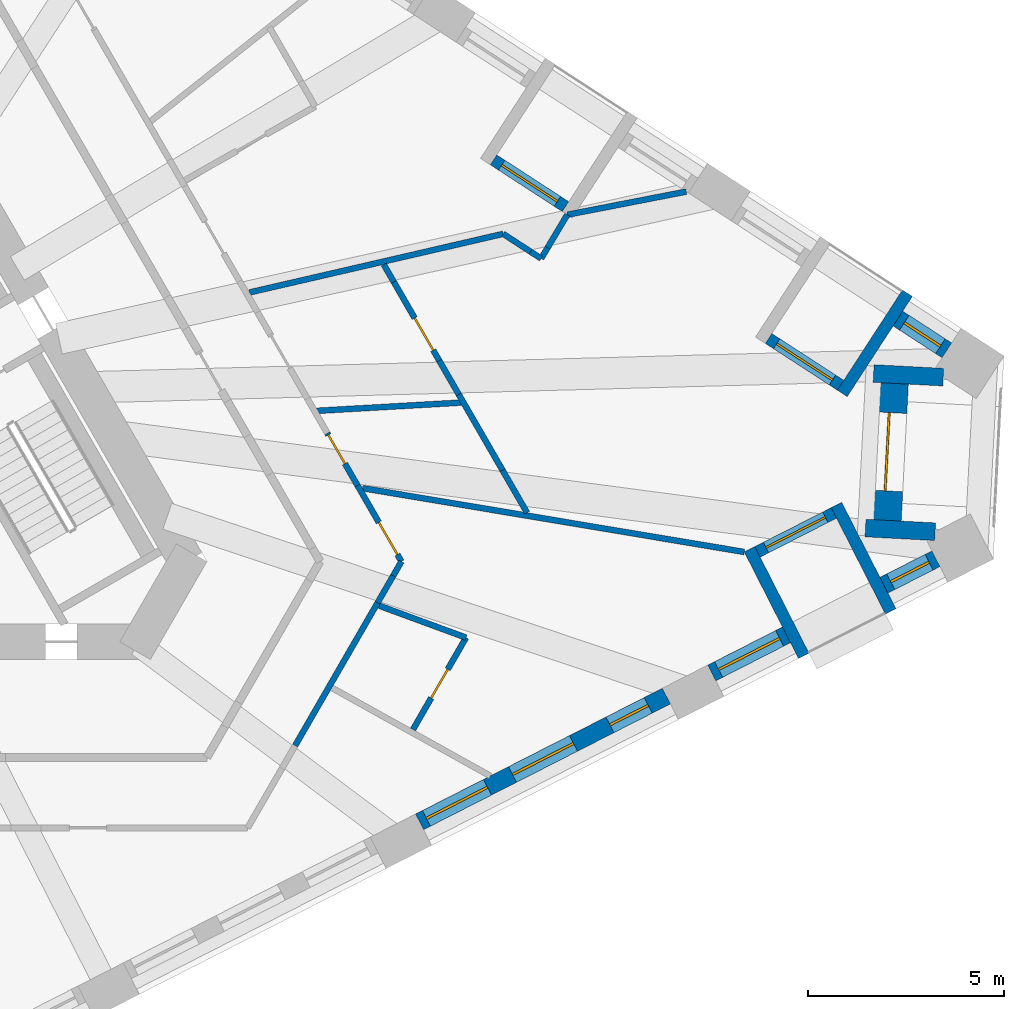
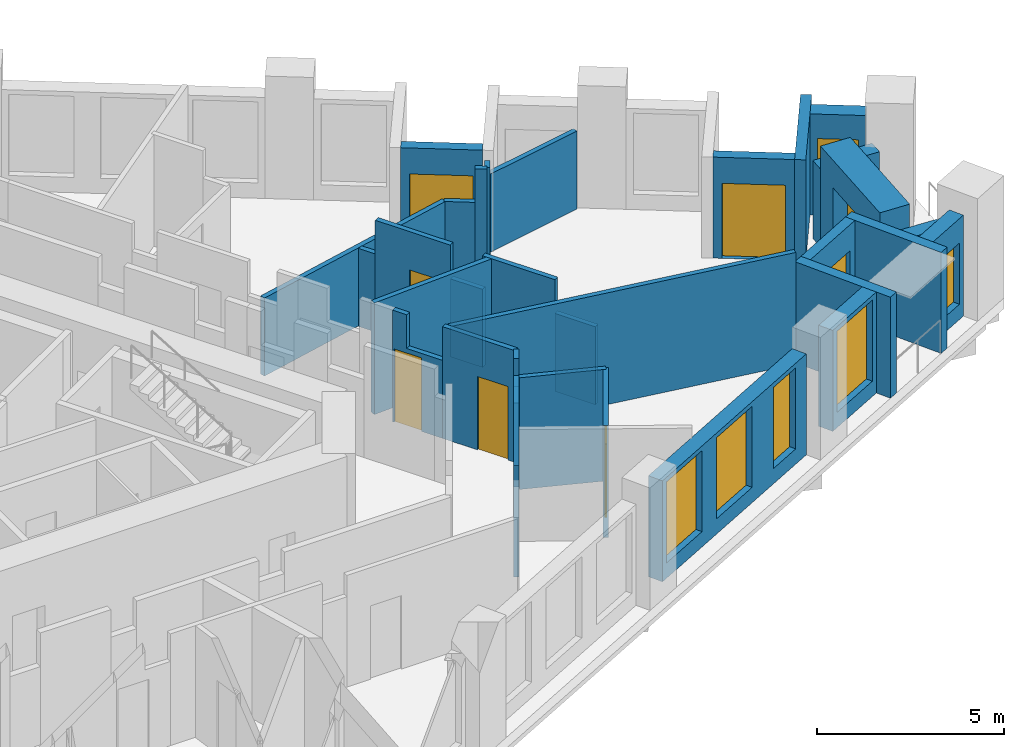
# One storey, part 6 of 13: 33 walls, 8 doors, 6 windows, 14 openings.
"""IFC4 building model written with IfcOpenShell, lengths in metres."""

from ifc_helpers import new_model, si_unit, direction, frame, frame_2d, origin, place, context, subcontext, project, spatial, polyline, rectangle, outline, extrude, material, layer, layer_set, type_object, element, fill, save


model = new_model("IFC4")

# Units and contexts
model_context = context("Model", 3, precision=1e-05, world=origin(), true_north=direction((0.0, 1.0)))
body_context = subcontext(model_context, "Body", "Model", "MODEL_VIEW")
ifc_project = project(units=[si_unit("LENGTHUNIT", "METRE"), si_unit("AREAUNIT", "SQUARE_METRE"), si_unit("VOLUMEUNIT", "CUBIC_METRE"), si_unit("PLANEANGLEUNIT", "RADIAN"), si_unit("MASSUNIT", "GRAM", prefix="KILO")], contexts=[model_context])

# Site, building, storey
site_placement = place(None, origin())
site = spatial("IfcSite", under=ifc_project, at=site_placement, CompositionType="ELEMENT")
building_placement = place(site_placement, origin())
building = spatial("IfcBuilding", under=site, at=building_placement, Name="Tramontana Tower", CompositionType="ELEMENT")
storey_placement = place(building_placement, frame((0.0, 0.0, 141.60009765625)))
storey = spatial("IfcBuildingStorey", under=building, at=storey_placement, Name="L32", CompositionType="ELEMENT", Elevation=141.60009765625)

# Wall, openings, windows
ifc_material_1 = material(Name="Precast concrete 60 MPa", Category="concrete")
ifc_layer_1 = layer(ifc_material_1, 0.449951171875)
ifc_layer_set_1 = layer_set([ifc_layer_1], Name="Precast concrete 60 MPa, 450 mm")
wall_type_1 = type_object("IfcWallType", Name="EW1 Stone-faced precast wall 450", PredefinedType="SOLIDWALL", material=ifc_layer_set_1)
wall_1_placement = place(storey_placement, frame((15.6767578125, -10.8955078125, 0.0), z_axis=(0.0, 0.0, 1.0), x_axis=(0.891004189171, 0.45399508244, 0.0)))
wall_1 = element("IfcWall", 1, at=wall_1_placement, inside=storey, type_object=wall_type_1, Name="External wall L32 face 1 bay 5", PredefinedType="SOLIDWALL", context=body_context, shape_type="SweptSolid", body=[
    extrude(rectangle(XDim=7.071533203125, YDim=0.449951171875, at=frame_2d((3.53564453125, 0.0))), origin(), (0.0, 0.0, 1.0), 3.2998046875),
])
opening_1_placement = place(wall_1_placement, frame((0.1953125, 0.0, 0.5)))
opening_1 = element("IfcOpeningElement", 2, at=opening_1_placement, cuts=wall_1, Name="Opening M2", PredefinedType="OPENING", context=body_context, shape_type="SweptSolid", body=[
    extrude(rectangle(XDim=1.75, YDim=2.64990234375, at=frame_2d((0.875, 1.324951171875))), frame((0.0, 0.23486328125, 0.0), z_axis=(0.0, -1.0, 0.0), x_axis=(1.0, 0.0, 0.0)), (0.0, 0.0, 1.0), 0.469970703125),
])
opening_2_placement = place(wall_1_placement, frame((2.660888671875, 0.0, 0.5)))
opening_2 = element("IfcOpeningElement", 3, at=opening_2_placement, cuts=wall_1, Name="Opening M2", PredefinedType="OPENING", context=body_context, shape_type="SweptSolid", body=[
    extrude(rectangle(XDim=1.75, YDim=2.64990234375, at=frame_2d((0.875, 1.324951171875))), frame((0.0, 0.23486328125, 0.0), z_axis=(0.0, -1.0, 0.0), x_axis=(1.0, 0.0, 0.0)), (0.0, 0.0, 1.0), 0.469970703125),
])
opening_3_placement = place(wall_1_placement, frame((5.451416015625, 0.0, 0.5)))
opening_3 = element("IfcOpeningElement", 4, at=opening_3_placement, cuts=wall_1, Name="Opening N2", PredefinedType="OPENING", context=body_context, shape_type="SweptSolid", body=[
    extrude(rectangle(XDim=1.10009765625, YDim=2.64990234375, at=frame_2d((0.550048828125, 1.324951171875))), frame((0.0, 0.23486328125, 0.0), z_axis=(0.0, -1.0, 0.0), x_axis=(1.0, 0.0, 0.0)), (0.0, 0.0, 1.0), 0.469970703125),
])
ifc_material_2 = material(Name="Aluminum frame, double glazing unit", Category="aluminium")
window_type_1 = type_object("IfcWindowType", Name="M2 Window 1.75 x 2.65", PartitioningType="SINGLE_PANEL", PredefinedType="WINDOW", material=ifc_material_2)
window_1_placement = place(opening_1_placement, origin())
window_1 = element("IfcWindow", 5, at=window_1_placement, inside=storey, type_object=window_type_1, Name="Window M2 L32 face 1 module 13", OverallHeight=2.64990234375, OverallWidth=1.75, PartitioningType="SINGLE_PANEL", PredefinedType="WINDOW", context=body_context, shape_type="SweptSolid", body=[
    extrude(rectangle(XDim=1.75, YDim=2.64990234375, at=frame_2d((0.875, 1.324951171875))), frame((0.0, 0.030029296875, 0.0), z_axis=(0.0, -1.0, 0.0), x_axis=(1.0, 0.0, 0.0)), (0.0, 0.0, 1.0), 0.06005859375),
])
fill(opening_1, window_1)
window_2_placement = place(opening_2_placement, origin())
window_2 = element("IfcWindow", 6, at=window_2_placement, inside=storey, type_object=window_type_1, Name="Window M2 L32 face 1 module 14", OverallHeight=2.64990234375, OverallWidth=1.75, PartitioningType="SINGLE_PANEL", PredefinedType="WINDOW", context=body_context, shape_type="SweptSolid", body=[
    extrude(rectangle(XDim=1.75, YDim=2.64990234375, at=frame_2d((0.875, 1.324951171875))), frame((0.0, 0.030029296875, 0.0), z_axis=(0.0, -1.0, 0.0), x_axis=(1.0, 0.0, 0.0)), (0.0, 0.0, 1.0), 0.06005859375),
])
fill(opening_2, window_2)
ifc_material_3 = material(Name="Aluminum frame, double glazing unit", Category="aluminium")
window_type_2 = type_object("IfcWindowType", Name="N2 Window 1.1 x 2.65", PartitioningType="SINGLE_PANEL", PredefinedType="WINDOW", material=ifc_material_3)
window_3_placement = place(opening_3_placement, origin())
window_3 = element("IfcWindow", 7, at=window_3_placement, inside=storey, type_object=window_type_2, Name="Window N2 L32 face 1 module 15", OverallHeight=2.64990234375, OverallWidth=1.10009765625, PartitioningType="SINGLE_PANEL", PredefinedType="WINDOW", context=body_context, shape_type="SweptSolid", body=[
    extrude(rectangle(XDim=1.10009765625, YDim=2.64990234375, at=frame_2d((0.550048828125, 1.324951171875))), frame((0.0, 0.030029296875, 0.0), z_axis=(0.0, -1.0, 0.0), x_axis=(1.0, 0.0, 0.0)), (0.0, 0.0, 1.0), 0.06005859375),
])
fill(opening_3, window_3)

# Wall, opening, window
wall_2_placement = place(storey_placement, frame((23.1357421875, -7.094970703125, 0.0), z_axis=(0.0, 0.0, 1.0), x_axis=(0.890979432498, 0.454043666254, 0.0)))
wall_2 = element("IfcWall", 8, at=wall_2_placement, inside=storey, type_object=wall_type_1, Name="External wall L32 face 1 bay 6", PredefinedType="SOLIDWALL", context=body_context, shape_type="SweptSolid", body=[
    extrude(rectangle(XDim=2.140625, YDim=0.449951171875, at=frame_2d((1.0703125, 0.0))), origin(), (0.0, 0.0, 1.0), 3.2998046875),
])
opening_4_placement = place(wall_2_placement, frame((0.1953125, 0.0, 0.5)))
opening_4 = element("IfcOpeningElement", 9, at=opening_4_placement, cuts=wall_2, Name="Opening M2", PredefinedType="OPENING", context=body_context, shape_type="SweptSolid", body=[
    extrude(rectangle(XDim=1.75, YDim=2.64990234375, at=frame_2d((0.875, 1.324951171875))), frame((0.0, 0.23486328125, 0.0), z_axis=(0.0, -1.0, 0.0), x_axis=(1.0, 0.0, 0.0)), (0.0, 0.0, 1.0), 0.469970703125),
])
window_4_placement = place(opening_4_placement, origin())
window_4 = element("IfcWindow", 10, at=window_4_placement, inside=storey, type_object=window_type_1, Name="Window M2 L32 face 1 module 16", OverallHeight=2.64990234375, OverallWidth=1.75, PartitioningType="SINGLE_PANEL", PredefinedType="WINDOW", context=body_context, shape_type="SweptSolid", body=[
    extrude(rectangle(XDim=1.75, YDim=2.64990234375, at=frame_2d((0.875, 1.324951171875))), frame((0.0, 0.030029296875, 0.0), z_axis=(0.0, -1.0, 0.0), x_axis=(1.0, 0.0, 0.0)), (0.0, 0.0, 1.0), 0.06005859375),
])
fill(opening_4, window_4)

wall_3_placement = place(storey_placement, frame((27.529296875, -4.856201171875, 0.0), z_axis=(0.0, 0.0, 1.0), x_axis=(0.890994495378, 0.454014106836, 0.0)))
wall_3 = element("IfcWall", 11, at=wall_3_placement, inside=storey, type_object=wall_type_1, Name="External wall L32 face 1 bay 6", PredefinedType="SOLIDWALL", context=body_context, shape_type="SweptSolid", body=[
    extrude(rectangle(XDim=1.49072265625, YDim=0.449951171875, at=frame_2d((0.745361328125, 0.0))), origin(), (0.0, 0.0, 1.0), 3.2998046875),
])
opening_5_placement = place(wall_3_placement, frame((0.1953125, 0.0, 0.5)))
opening_5 = element("IfcOpeningElement", 12, at=opening_5_placement, cuts=wall_3, Name="Opening N2L", PredefinedType="OPENING", context=body_context, shape_type="SweptSolid", body=[
    extrude(rectangle(XDim=1.10009765625, YDim=2.0, at=frame_2d((0.550048828125, 1.0))), frame((0.0, 0.23486328125, 0.0), z_axis=(0.0, -1.0, 0.0), x_axis=(1.0, 0.0, 0.0)), (0.0, 0.0, 1.0), 0.469970703125),
])
ifc_material_4 = material(Name="Aluminum frame, double glazing unit", Category="aluminium")
window_type_3 = type_object("IfcWindowType", Name="N2L Window 1.1 x 2", PartitioningType="SINGLE_PANEL", PredefinedType="WINDOW", material=ifc_material_4)
window_5_placement = place(opening_5_placement, origin())
window_5 = element("IfcWindow", 13, at=window_5_placement, inside=storey, type_object=window_type_3, Name="Window N2L L32 face 1 module 18", OverallHeight=2.0, OverallWidth=1.10009765625, PartitioningType="SINGLE_PANEL", PredefinedType="WINDOW", context=body_context, shape_type="SweptSolid", body=[
    extrude(rectangle(XDim=1.10009765625, YDim=2.0, at=frame_2d((0.550048828125, 1.0))), frame((0.0, 0.030029296875, 0.0), z_axis=(0.0, -1.0, 0.0), x_axis=(1.0, 0.0, 0.0)), (0.0, 0.0, 1.0), 0.06005859375),
])
fill(opening_5, window_5)

wall_4_placement = place(storey_placement, frame((29.13623046875, 1.14013671875, 0.0), z_axis=(0.0, 0.0, 1.0), x_axis=(-0.838668089672, 0.544642851203, 0.0)))
wall_4 = element("IfcWall", 14, at=wall_4_placement, inside=storey, type_object=wall_type_1, Name="External wall L32 face 2 bay 1", PredefinedType="SOLIDWALL", context=body_context, shape_type="SweptSolid", body=[
    extrude(rectangle(XDim=1.490478515625, YDim=0.449951171875, at=frame_2d((0.7451171875, 0.0))), origin(), (0.0, 0.0, 1.0), 3.2998046875),
])
opening_6_placement = place(wall_4_placement, frame((0.1953125, 0.0, 0.5)))
opening_6 = element("IfcOpeningElement", 15, at=opening_6_placement, cuts=wall_4, Name="Opening N2L", PredefinedType="OPENING", context=body_context, shape_type="SweptSolid", body=[
    extrude(rectangle(XDim=1.10009765625, YDim=2.0, at=frame_2d((0.550048828125, 1.0))), frame((0.0, 0.23486328125, 0.0), z_axis=(0.0, -1.0, 0.0), x_axis=(1.0, 0.0, 0.0)), (0.0, 0.0, 1.0), 0.469970703125),
])
window_6_placement = place(opening_6_placement, origin())
window_6 = element("IfcWindow", 16, at=window_6_placement, inside=storey, type_object=window_type_3, Name="Window N2L L32 face 2 module 1", OverallHeight=2.0, OverallWidth=1.10009765625, PartitioningType="SINGLE_PANEL", PredefinedType="WINDOW", context=body_context, shape_type="SweptSolid", body=[
    extrude(rectangle(XDim=1.10009765625, YDim=2.0, at=frame_2d((0.550048828125, 1.0))), frame((0.0, 0.030029296875, 0.0), z_axis=(0.0, -1.0, 0.0), x_axis=(1.0, 0.0, 0.0)), (0.0, 0.0, 1.0), 0.06005859375),
])
fill(opening_6, window_6)

# Walls
for number, where, z_axis, x_axis, name in (
    (17, (29.04296875, 0.45556640625, 0.0), (0.0, 0.0, 1.0), (-0.998625399692, 0.05241479839, 0.0), "Corner loggia side wall L32 K32l"),
    (18, (28.836181640625, -3.489013671875, 0.0), (0.0, 0.0, 1.0), (-0.998625399692, 0.05241479839, 0.0), "Corner loggia side wall L32 K32r"),
):
    element("IfcWall", number, at=place(storey_placement, frame(where, z_axis=z_axis, x_axis=x_axis)), inside=storey, type_object=wall_type_1, Name=name, PredefinedType="SOLIDWALL", context=body_context, shape_type="SweptSolid", body=[
        extrude(rectangle(XDim=1.779296875, YDim=0.449951171875, at=frame_2d((0.8896484375, 0.0))), origin(), (0.0, 0.0, 1.0), 2.5498046875),
    ])

# Wall, opening, door
ifc_material_5 = material(Name="Precast concrete 60 MPa", Category="concrete")
ifc_layer_2 = layer(ifc_material_5, 0.89990234375)
ifc_layer_set_2 = layer_set([ifc_layer_2], Name="EW2 Stone-faced corner loggia wall 900")
wall_type_2 = type_object("IfcWallType", Name="EW2 Stone-faced corner loggia wall 900", PredefinedType="SOLIDWALL", material=ifc_layer_set_2)
wall_5_placement = place(storey_placement, frame((27.70361328125, 0.300537109375, 0.0), z_axis=(0.0, 0.0, 1.0), x_axis=(-0.052317189757, -0.998630518088, 0.0)))
wall_5 = element("IfcWall", 19, at=wall_5_placement, inside=storey, type_object=wall_type_2, Name="Corner loggia wall L32 K32", PredefinedType="SOLIDWALL", context=body_context, shape_type="SweptSolid", body=[
    extrude(rectangle(XDim=3.5, YDim=0.89990234375, at=frame_2d((1.75, 0.0))), origin(), (0.0, 0.0, 1.0), 3.2998046875),
])
opening_7_placement = place(wall_5_placement, frame((0.75, 0.0, 0.0)))
opening_7 = element("IfcOpeningElement", 20, at=opening_7_placement, cuts=wall_5, Name="Opening BD-32C", PredefinedType="OPENING", context=body_context, shape_type="SweptSolid", body=[
    extrude(rectangle(XDim=2.0, YDim=2.39990234375, at=frame_2d((1.0, 1.199951171875))), frame((0.0, 0.4599609375, 0.0), z_axis=(0.0, -1.0, 0.0), x_axis=(1.0, 0.0, 0.0)), (0.0, 0.0, 1.0), 0.919921875),
])
ifc_material_6 = material(Name="Aluminum frame, double glazing unit", Category="aluminium")
door_type_1 = type_object("IfcDoorType", Name="BC1 Sliding door 2 x 2.4", OperationType="SLIDING_TO_LEFT", PredefinedType="DOOR", material=ifc_material_6)
door_1_placement = place(opening_7_placement, origin())
door_1 = element("IfcDoor", 21, at=door_1_placement, inside=storey, type_object=door_type_1, Name="Corner loggia door L32 K32", OperationType="SLIDING_TO_LEFT", OverallHeight=2.39990234375, OverallWidth=2.0, PredefinedType="DOOR", context=body_context, shape_type="SweptSolid", body=[
    extrude(rectangle(XDim=2.0, YDim=2.39990234375, at=frame_2d((1.0, 1.199951171875))), frame((0.0, 0.02490234375, 0.0), z_axis=(0.0, -1.0, 0.0), x_axis=(1.0, 0.0, 0.0)), (0.0, 0.0, 1.0), 0.050048828125),
])
fill(opening_7, door_1)

ifc_material_7 = material(Name="Precast concrete 60 MPa", Category="concrete")
ifc_layer_3 = layer(ifc_material_7, 0.300048828125)
ifc_layer_set_3 = layer_set([ifc_layer_3], Name="LW1 Stone-faced loggia wall 300")
wall_type_3 = type_object("IfcWallType", Name="LW1 Stone-faced loggia wall 300", PredefinedType="SOLIDWALL", material=ifc_layer_set_3)
wall_6_placement = place(storey_placement, frame((24.30029296875, -4.00439453125, 0.0), z_axis=(0.0, 0.0, 1.0), x_axis=(0.891013126725, 0.4539775413, 0.0)))
wall_6 = element("IfcWall", 22, at=wall_6_placement, inside=storey, type_object=wall_type_3, Name="Loggia wall L32 G3S1.16", PredefinedType="SOLIDWALL", context=body_context, shape_type="SweptSolid", body=[
    extrude(rectangle(XDim=2.1904296875, YDim=0.300048828125, at=frame_2d((1.09521484375, 0.0))), origin(), (0.0, 0.0, 1.0), 3.2998046875),
])
opening_8_placement = place(wall_6_placement, frame((0.245361328125, 0.0, 0.0)))
opening_8 = element("IfcOpeningElement", 23, at=opening_8_placement, cuts=wall_6, Name="Opening BD-3S1-16", PredefinedType="OPENING", context=body_context, shape_type="SweptSolid", body=[
    extrude(rectangle(XDim=1.699951171875, YDim=2.449951171875, at=frame_2d((0.85009765625, 1.22509765625))), frame((0.0, 0.159912109375, 0.0), z_axis=(0.0, -1.0, 0.0), x_axis=(1.0, 0.0, 0.0)), (0.0, 0.0, 1.0), 0.320068359375),
])
ifc_material_8 = material(Name="Aluminum frame, double glazing unit", Category="aluminium")
door_type_2 = type_object("IfcDoorType", Name="BD2 Sliding door 1.7 x 2.45", OperationType="SLIDING_TO_LEFT", PredefinedType="DOOR", material=ifc_material_8)
door_2_placement = place(opening_8_placement, origin())
door_2 = element("IfcDoor", 24, at=door_2_placement, inside=storey, type_object=door_type_2, Name="Loggia door L32 G3S1.16", OperationType="SLIDING_TO_LEFT", OverallHeight=2.449951171875, OverallWidth=1.699951171875, PredefinedType="DOOR", context=body_context, shape_type="SweptSolid", body=[
    extrude(rectangle(XDim=1.699951171875, YDim=2.449951171875, at=frame_2d((0.85009765625, 1.22509765625))), frame((0.0, 0.02490234375, 0.0), z_axis=(0.0, -1.0, 0.0), x_axis=(1.0, 0.0, 0.0)), (0.0, 0.0, 1.0), 0.050048828125),
])
fill(opening_8, door_2)

# Walls
wall_7_placement = place(storey_placement, frame((25.483154296875, -6.656494140625, 0.0), z_axis=(0.0, 0.0, 1.0), x_axis=(-0.453988129332, 0.891007731968, 0.0)))
element("IfcWall", 25, at=wall_7_placement, inside=storey, type_object=wall_type_3, Name="Loggia return L32 G3S1.16a", PredefinedType="SOLIDWALL", context=body_context, shape_type="SweptSolid", body=[
    extrude(rectangle(XDim=3.05029296875, YDim=0.300048828125, at=frame_2d((1.525146484375, 0.0))), origin(), (0.0, 0.0, 1.0), 3.2998046875),
])
wall_8_placement = place(storey_placement, frame((27.7021484375, -5.525634765625, 0.0), z_axis=(0.0, 0.0, 1.0), x_axis=(-0.453956959009, 0.891023613249, 0.0)))
element("IfcWall", 26, at=wall_8_placement, inside=storey, type_object=wall_type_3, Name="Loggia return L32 G3S1.16b", PredefinedType="SOLIDWALL", context=body_context, shape_type="SweptSolid", body=[
    extrude(rectangle(XDim=3.0498046875, YDim=0.300048828125, at=frame_2d((1.52490234375, 0.0))), origin(), (0.0, 0.0, 1.0), 3.2998046875),
])

# Wall, opening, door
wall_9_placement = place(storey_placement, frame((26.4228515625, 0.249267578125, 0.0), z_axis=(0.0, 0.0, 1.0), x_axis=(-0.838659986147, 0.544655329209, 0.0)))
wall_9 = element("IfcWall", 27, at=wall_9_placement, inside=storey, type_object=wall_type_3, Name="Loggia wall L32 G3S2.1", PredefinedType="SOLIDWALL", context=body_context, shape_type="SweptSolid", body=[
    extrude(rectangle(XDim=2.190673828125, YDim=0.300048828125, at=frame_2d((1.09521484375, 0.0))), origin(), (0.0, 0.0, 1.0), 3.2998046875),
])
opening_9_placement = place(wall_9_placement, frame((0.245361328125, 0.0, 0.0)))
opening_9 = element("IfcOpeningElement", 28, at=opening_9_placement, cuts=wall_9, Name="Opening BD-3S2-01", PredefinedType="OPENING", context=body_context, shape_type="SweptSolid", body=[
    extrude(rectangle(XDim=1.699951171875, YDim=2.449951171875, at=frame_2d((0.85009765625, 1.22509765625))), frame((0.0, 0.159912109375, 0.0), z_axis=(0.0, -1.0, 0.0), x_axis=(1.0, 0.0, 0.0)), (0.0, 0.0, 1.0), 0.320068359375),
])
door_3_placement = place(opening_9_placement, origin())
door_3 = element("IfcDoor", 29, at=door_3_placement, inside=storey, type_object=door_type_2, Name="Loggia door L32 G3S2.1", OperationType="SLIDING_TO_LEFT", OverallHeight=2.449951171875, OverallWidth=1.699951171875, PredefinedType="DOOR", context=body_context, shape_type="SweptSolid", body=[
    extrude(rectangle(XDim=1.699951171875, YDim=2.449951171875, at=frame_2d((0.85009765625, 1.22509765625))), frame((0.0, 0.02490234375, 0.0), z_axis=(0.0, -1.0, 0.0), x_axis=(1.0, 0.0, 0.0)), (0.0, 0.0, 1.0), 0.050048828125),
])
fill(opening_9, door_3)

# Wall
wall_10_placement = place(storey_placement, frame((28.1279296875, 2.599853515625, 0.0), z_axis=(0.0, 0.0, 1.0), x_axis=(-0.544611292451, -0.838688583525, 0.0)))
element("IfcWall", 30, at=wall_10_placement, inside=storey, type_object=wall_type_3, Name="Loggia return L32 G3S2.1a", PredefinedType="SOLIDWALL", context=body_context, shape_type="SweptSolid", body=[
    extrude(rectangle(XDim=3.050048828125, YDim=0.300048828125, at=frame_2d((1.52490234375, 0.0))), origin(), (0.0, 0.0, 1.0), 3.2998046875),
])

# Wall, opening, door
wall_11_placement = place(storey_placement, frame((19.40185546875, 4.808837890625, 0.0), z_axis=(0.0, 0.0, 1.0), x_axis=(-0.838659986147, 0.544655329209, 0.0)))
wall_11 = element("IfcWall", 31, at=wall_11_placement, inside=storey, type_object=wall_type_3, Name="Loggia wall L32 G3S2.4", PredefinedType="SOLIDWALL", context=body_context, shape_type="SweptSolid", body=[
    extrude(rectangle(XDim=2.190673828125, YDim=0.300048828125, at=frame_2d((1.09521484375, 0.0))), origin(), (0.0, 0.0, 1.0), 3.2998046875),
])
opening_10_placement = place(wall_11_placement, frame((0.245361328125, 0.0, 0.0)))
opening_10 = element("IfcOpeningElement", 32, at=opening_10_placement, cuts=wall_11, Name="Opening BD-3S2-04", PredefinedType="OPENING", context=body_context, shape_type="SweptSolid", body=[
    extrude(rectangle(XDim=1.699951171875, YDim=2.449951171875, at=frame_2d((0.85009765625, 1.22509765625))), frame((0.0, 0.159912109375, 0.0), z_axis=(0.0, -1.0, 0.0), x_axis=(1.0, 0.0, 0.0)), (0.0, 0.0, 1.0), 0.320068359375),
])
door_4_placement = place(opening_10_placement, origin())
door_4 = element("IfcDoor", 33, at=door_4_placement, inside=storey, type_object=door_type_2, Name="Loggia door L32 G3S2.4", OperationType="SLIDING_TO_LEFT", OverallHeight=2.449951171875, OverallWidth=1.699951171875, PredefinedType="DOOR", context=body_context, shape_type="SweptSolid", body=[
    extrude(rectangle(XDim=1.699951171875, YDim=2.449951171875, at=frame_2d((0.85009765625, 1.22509765625))), frame((0.0, 0.02490234375, 0.0), z_axis=(0.0, -1.0, 0.0), x_axis=(1.0, 0.0, 0.0)), (0.0, 0.0, 1.0), 0.050048828125),
])
fill(opening_10, door_4)

ifc_material_9 = material(Name="Gypsum board partition")
ifc_layer_4 = layer(ifc_material_9, 0.14990234375)
ifc_layer_set_4 = layer_set([ifc_layer_4], Name="PARTITION 150")
wall_type_4 = type_object("IfcWallType", Name="PARTITION 150", PredefinedType="PARTITIONING", material=ifc_layer_set_4)
wall_12_placement = place(storey_placement, frame((13.322021484375, -0.974365234375, 0.0), z_axis=(0.0, 0.0, 1.0), x_axis=(0.5000008632, -0.866024905415, 0.0)))
wall_12 = element("IfcWall", 34, at=wall_12_placement, inside=storey, type_object=wall_type_4, Name="Wall v31-pw29-9", PredefinedType="PARTITIONING", context=body_context, shape_type="SweptSolid", body=[
    extrude(outline(polyline([(0.0, 0.0), (1.54345703125, 0.0), (1.54345703125, 2.5498046875), (0.439697265625, 2.5498046875), (0.439697265625, 3.64990234375), (0.0, 3.64990234375), (0.0, 0.0)])), frame((0.0, 0.074951171875, 0.0), z_axis=(0.0, -1.0, 0.0), x_axis=(1.0, 0.0, 0.0)), (0.0, 0.0, 1.0), 0.14990234375),
])
opening_11_placement = place(wall_12_placement, frame((0.050048828125, 0.0, 0.0)))
opening_11 = element("IfcOpeningElement", 35, at=opening_11_placement, cuts=wall_12, Name="Opening B3B-18", PredefinedType="OPENING", context=body_context, shape_type="SweptSolid", body=[
    extrude(rectangle(XDim=0.85009765625, YDim=2.39990234375, at=frame_2d((0.425048828125, 1.199951171875))), frame((0.0, 0.0849609375, 0.0), z_axis=(0.0, -1.0, 0.0), x_axis=(1.0, 0.0, 0.0)), (0.0, 0.0, 1.0), 0.169921875),
])
ifc_material_10 = material(Name="Painted timber", Category="wood")
door_type_3 = type_object("IfcDoorType", Name="DOOR BATH 850", OperationType="SINGLE_SWING_LEFT", PredefinedType="DOOR", material=ifc_material_10)
door_5_placement = place(opening_11_placement, origin())
door_5 = element("IfcDoor", 36, at=door_5_placement, inside=storey, type_object=door_type_3, Name="Door B3B-18", OperationType="SINGLE_SWING_RIGHT", OverallHeight=2.39990234375, OverallWidth=0.85009765625, PredefinedType="DOOR", context=body_context, shape_type="SweptSolid", body=[
    extrude(rectangle(XDim=0.85009765625, YDim=2.39990234375, at=frame_2d((0.425048828125, 1.199951171875))), frame((0.0, 0.02490234375, 0.0), z_axis=(0.0, -1.0, 0.0), x_axis=(1.0, 0.0, 0.0)), (0.0, 0.0, 1.0), 0.050048828125),
])
fill(opening_11, door_5)

wall_13_placement = place(storey_placement, frame((14.09375, -2.31103515625, 0.0), z_axis=(0.0, 0.0, 1.0), x_axis=(0.499974169222, -0.866040316677, 0.0)))
wall_13 = element("IfcWall", 37, at=wall_13_placement, inside=storey, type_object=wall_type_4, Name="Wall v31-pw29-10", PredefinedType="PARTITIONING", context=body_context, shape_type="SweptSolid", body=[
    extrude(rectangle(XDim=2.23876953125, YDim=0.14990234375, at=frame_2d((1.119384765625, 0.0))), origin(), (0.0, 0.0, 1.0), 3.64990234375),
])
opening_12_placement = place(wall_13_placement, frame((1.08447265625, 0.0, 0.0)))
opening_12 = element("IfcOpeningElement", 38, at=opening_12_placement, cuts=wall_13, Name="Opening B3B-19", PredefinedType="OPENING", context=body_context, shape_type="SweptSolid", body=[
    extrude(rectangle(XDim=0.949951171875, YDim=2.39990234375, at=frame_2d((0.47509765625, 1.199951171875))), frame((0.0, 0.0849609375, 0.0), z_axis=(0.0, -1.0, 0.0), x_axis=(1.0, 0.0, 0.0)), (0.0, 0.0, 1.0), 0.169921875),
])
ifc_material_11 = material(Name="Painted timber", Category="wood")
door_type_4 = type_object("IfcDoorType", Name="DOOR ROOM 950", OperationType="SINGLE_SWING_LEFT", PredefinedType="DOOR", material=ifc_material_11)
door_6_placement = place(opening_12_placement, origin())
door_6 = element("IfcDoor", 39, at=door_6_placement, inside=storey, type_object=door_type_4, Name="Door B3B-19", OperationType="SINGLE_SWING_LEFT", OverallHeight=2.39990234375, OverallWidth=0.949951171875, PredefinedType="DOOR", context=body_context, shape_type="SweptSolid", body=[
    extrude(rectangle(XDim=0.949951171875, YDim=2.39990234375, at=frame_2d((0.47509765625, 1.199951171875))), frame((0.0, 0.02490234375, 0.0), z_axis=(0.0, -1.0, 0.0), x_axis=(1.0, 0.0, 0.0)), (0.0, 0.0, 1.0), 0.050048828125),
])
fill(opening_12, door_6)

# Walls
wall_14_placement = place(storey_placement, frame((11.3349609375, 2.617431640625, 0.0), z_axis=(0.0, 0.0, 1.0), x_axis=(0.974350317448, 0.225036572338, 0.0)))
element("IfcWall", 40, at=wall_14_placement, inside=storey, type_object=wall_type_4, Name="Wall v31-pw34-0", PredefinedType="PARTITIONING", context=body_context, shape_type="SweptSolid", body=[
    extrude(rectangle(XDim=6.64599609375, YDim=0.14990234375, at=frame_2d((3.322998046875, 0.0))), origin(), (0.0, 0.0, 1.0), 2.5498046875),
])
wall_15_placement = place(storey_placement, frame((14.64794921875, -5.379150390625, 0.0), z_axis=(0.0, 0.0, 1.0), x_axis=(0.938688895459, -0.344765365925, 0.0)))
element("IfcWall", 41, at=wall_15_placement, inside=storey, type_object=wall_type_4, Name="Wall v31-pw38", PredefinedType="PARTITIONING", context=body_context, shape_type="SweptSolid", body=[
    extrude(rectangle(XDim=2.359619140625, YDim=0.14990234375, at=frame_2d((1.1796875, 0.0))), origin(), (0.0, 0.0, 1.0), 3.64990234375),
])
wall_16_placement = place(storey_placement, frame((14.76171875, 3.331787109375, 0.0), z_axis=(0.0, 0.0, 1.0), x_axis=(0.500024172624, -0.866011447264, 0.0)))
element("IfcWall", 42, at=wall_16_placement, inside=storey, type_object=wall_type_4, Name="Wall v31-pw39-0", PredefinedType="PARTITIONING", context=body_context, shape_type="SweptSolid", body=[
    extrude(rectangle(XDim=0.513671875, YDim=0.14990234375, at=frame_2d((0.2568359375, 0.0))), origin(), (0.0, 0.0, 1.0), 2.5498046875),
])

# Wall, opening, door
wall_17_placement = place(storey_placement, frame((15.0185546875, 2.886962890625, 0.0), z_axis=(0.0, 0.0, 1.0), x_axis=(0.50006548692, -0.865987591592, 0.0)))
wall_17 = element("IfcWall", 43, at=wall_17_placement, inside=storey, type_object=wall_type_4, Name="Wall v31-pw39-1", PredefinedType="PARTITIONING", context=body_context, shape_type="SweptSolid", body=[
    extrude(rectangle(XDim=2.320556640625, YDim=0.14990234375, at=frame_2d((1.16015625, 0.0))), origin(), (0.0, 0.0, 1.0), 3.64990234375),
])
opening_13_placement = place(wall_17_placement, frame((1.064208984375, 0.0, 0.0)))
opening_13 = element("IfcOpeningElement", 44, at=opening_13_placement, cuts=wall_17, Name="Opening B3B-25", PredefinedType="OPENING", context=body_context, shape_type="SweptSolid", body=[
    extrude(rectangle(XDim=0.949951171875, YDim=2.39990234375, at=frame_2d((0.47509765625, 1.199951171875))), frame((0.0, 0.0849609375, 0.0), z_axis=(0.0, -1.0, 0.0), x_axis=(1.0, 0.0, 0.0)), (0.0, 0.0, 1.0), 0.169921875),
])
door_7_placement = place(opening_13_placement, origin())
door_7 = element("IfcDoor", 45, at=door_7_placement, inside=storey, type_object=door_type_4, Name="Door B3B-25", OperationType="SINGLE_SWING_LEFT", OverallHeight=2.39990234375, OverallWidth=0.949951171875, PredefinedType="DOOR", context=body_context, shape_type="SweptSolid", body=[
    extrude(rectangle(XDim=0.949951171875, YDim=2.39990234375, at=frame_2d((0.47509765625, 1.199951171875))), frame((0.0, 0.02490234375, 0.0), z_axis=(0.0, -1.0, 0.0), x_axis=(1.0, 0.0, 0.0)), (0.0, 0.0, 1.0), 0.050048828125),
])
fill(opening_13, door_7)

# Walls
wall_18_placement = place(storey_placement, frame((16.178955078125, 0.87744140625, 0.0), z_axis=(0.0, 0.0, 1.0), x_axis=(0.499991453095, -0.866030338286, 0.0)))
element("IfcWall", 46, at=wall_18_placement, inside=storey, type_object=wall_type_4, Name="Wall v31-pw39-2", PredefinedType="PARTITIONING", context=body_context, shape_type="SweptSolid", body=[
    extrude(rectangle(XDim=0.9951171875, YDim=0.14990234375, at=frame_2d((0.49755859375, 0.0))), origin(), (0.0, 0.0, 1.0), 2.5498046875),
])
wall_19_placement = place(storey_placement, frame((16.676513671875, 0.015625, 0.0), z_axis=(0.0, 0.0, 1.0), x_axis=(0.499958946799, -0.866049104564, 0.0)))
element("IfcWall", 47, at=wall_19_placement, inside=storey, type_object=wall_type_4, Name="Wall v31-pw39-3", PredefinedType="PARTITIONING", context=body_context, shape_type="SweptSolid", body=[
    extrude(rectangle(XDim=2.234130859375, YDim=0.14990234375, at=frame_2d((1.1171875, 0.0))), origin(), (0.0, 0.0, 1.0), 3.64990234375),
])
wall_20_placement = place(storey_placement, frame((17.79345703125, -1.919189453125, 0.0), z_axis=(0.0, 0.0, 1.0), x_axis=(0.500059962755, -0.865990781504, 0.0)))
element("IfcWall", 48, at=wall_20_placement, inside=storey, type_object=wall_type_4, Name="Wall v31-pw39-4", PredefinedType="PARTITIONING", context=body_context, shape_type="SweptSolid", body=[
    extrude(rectangle(XDim=1.252197265625, YDim=0.14990234375, at=frame_2d((0.6259765625, 0.0))), origin(), (0.0, 0.0, 1.0), 2.5498046875),
])
wall_21_placement = place(storey_placement, frame((15.213134765625, -4.25, 0.0), z_axis=(0.0, 0.0, 1.0), x_axis=(-0.499922110319, -0.866070368743, 0.0)))
element("IfcWall", 49, at=wall_21_placement, inside=storey, type_object=wall_type_4, Name="Wall v31-pw40-0", PredefinedType="PARTITIONING", context=body_context, shape_type="SweptSolid", body=[
    extrude(rectangle(XDim=0.42333984375, YDim=0.14990234375, at=frame_2d((0.211669921875, 0.0))), origin(), (0.0, 0.0, 1.0), 3.64990234375),
])
wall_22_placement = place(storey_placement, frame((15.00146484375, -4.61669921875, 0.0), z_axis=(0.0, 0.0, 1.0), x_axis=(-0.49989173393, -0.866087902207, 0.0)))
element("IfcWall", 50, at=wall_22_placement, inside=storey, type_object=wall_type_4, Name="Wall v31-pw40-1", PredefinedType="PARTITIONING", context=body_context, shape_type="SweptSolid", body=[
    extrude(rectangle(XDim=0.790771484375, YDim=0.14990234375, at=frame_2d((0.3955078125, 0.0))), origin(), (0.0, 0.0, 1.0), 2.75),
])
wall_23_placement = place(storey_placement, frame((14.606201171875, -5.301513671875, 0.0), z_axis=(0.0, 0.0, 1.0), x_axis=(-0.50004374799, -0.866000144397, 0.0)))
element("IfcWall", 51, at=wall_23_placement, inside=storey, type_object=wall_type_4, Name="Wall v31-pw40-2", PredefinedType="PARTITIONING", context=body_context, shape_type="SweptSolid", body=[
    extrude(rectangle(XDim=4.20947265625, YDim=0.14990234375, at=frame_2d((2.104736328125, 0.0))), origin(), (0.0, 0.0, 1.0), 3.64990234375),
])
wall_24_placement = place(storey_placement, frame((16.79296875, -0.1904296875, 0.0), z_axis=(0.0, 0.0, 1.0), x_axis=(-0.998373005919, -0.057020531853, 0.0)))
element("IfcWall", 52, at=wall_24_placement, inside=storey, type_object=wall_type_4, Name="Wall v31-pw41", PredefinedType="PARTITIONING", context=body_context, shape_type="SweptSolid", body=[
    extrude(rectangle(XDim=3.802001953125, YDim=0.14990234375, at=frame_2d((1.90087890625, 0.0))), origin(), (0.0, 0.0, 1.0), 3.64990234375),
])

# Wall, opening, door
wall_25_placement = place(storey_placement, frame((15.5078125, -8.53955078125, 0.0), z_axis=(0.0, 0.0, 1.0), x_axis=(0.499995396135, 0.866028061811, 0.0)))
wall_25 = element("IfcWall", 53, at=wall_25_placement, inside=storey, type_object=wall_type_4, Name="Wall v31-pw42", PredefinedType="PARTITIONING", context=body_context, shape_type="SweptSolid", body=[
    extrude(rectangle(XDim=2.7099609375, YDim=0.14990234375, at=frame_2d((1.35498046875, 0.0))), origin(), (0.0, 0.0, 1.0), 3.64990234375),
])
opening_14_placement = place(wall_25_placement, frame((0.929931640625, 0.0, 0.0)))
opening_14 = element("IfcOpeningElement", 54, at=opening_14_placement, cuts=wall_25, Name="Opening B3B-23", PredefinedType="OPENING", context=body_context, shape_type="SweptSolid", body=[
    extrude(rectangle(XDim=0.85009765625, YDim=2.39990234375, at=frame_2d((0.425048828125, 1.199951171875))), frame((0.0, 0.0849609375, 0.0), z_axis=(0.0, -1.0, 0.0), x_axis=(1.0, 0.0, 0.0)), (0.0, 0.0, 1.0), 0.169921875),
])
door_8_placement = place(opening_14_placement, origin())
door_8 = element("IfcDoor", 55, at=door_8_placement, inside=storey, type_object=door_type_3, Name="Door B3B-23", OperationType="SINGLE_SWING_LEFT", OverallHeight=2.39990234375, OverallWidth=0.85009765625, PredefinedType="DOOR", context=body_context, shape_type="SweptSolid", body=[
    extrude(rectangle(XDim=0.85009765625, YDim=2.39990234375, at=frame_2d((0.425048828125, 1.199951171875))), frame((0.0, 0.02490234375, 0.0), z_axis=(0.0, -1.0, 0.0), x_axis=(1.0, 0.0, 0.0)), (0.0, 0.0, 1.0), 0.050048828125),
])
fill(opening_14, door_8)

# Walls
wall_26_placement = place(storey_placement, frame((17.810791015625, 4.113037109375, 0.0), z_axis=(0.0, 0.0, 1.0), x_axis=(0.838605037595, -0.544739929618, 0.0)))
element("IfcWall", 56, at=wall_26_placement, inside=storey, type_object=wall_type_4, Name="Wall v31-pw44-0", PredefinedType="PARTITIONING", context=body_context, shape_type="SweptSolid", body=[
    extrude(rectangle(XDim=0.8291015625, YDim=0.14990234375, at=frame_2d((0.41455078125, 0.0))), origin(), (0.0, 0.0, 1.0), 2.5498046875),
])
wall_27_placement = place(storey_placement, frame((18.506103515625, 3.661376953125, 0.0), z_axis=(0.0, 0.0, 1.0), x_axis=(0.838478007434, -0.544935437506, 0.0)))
element("IfcWall", 57, at=wall_27_placement, inside=storey, type_object=wall_type_4, Name="Wall v31-pw44-1", PredefinedType="PARTITIONING", context=body_context, shape_type="SweptSolid", body=[
    extrude(rectangle(XDim=0.324462890625, YDim=0.14990234375, at=frame_2d((0.162109375, 0.0))), origin(), (0.0, 0.0, 1.0), 3.64990234375),
])
wall_28_placement = place(storey_placement, frame((18.781005859375, 3.4853515625, 0.0), z_axis=(0.0, 0.0, 1.0), x_axis=(0.512010084496, 0.858979437108, 0.0)))
element("IfcWall", 58, at=wall_28_placement, inside=storey, type_object=wall_type_4, Name="Wall v31-pw45-0", PredefinedType="PARTITIONING", context=body_context, shape_type="SweptSolid", body=[
    extrude(rectangle(XDim=0.318115234375, YDim=0.14990234375, at=frame_2d((0.1591796875, 0.0))), origin(), (0.0, 0.0, 1.0), 3.64990234375),
])
wall_29_placement = place(storey_placement, frame((18.94384765625, 3.758544921875, 0.0), z_axis=(0.0, 0.0, 1.0), x_axis=(0.511711371719, 0.859157419832, 0.0)))
element("IfcWall", 59, at=wall_29_placement, inside=storey, type_object=wall_type_4, Name="Wall v31-pw45-1", PredefinedType="PARTITIONING", context=body_context, shape_type="SweptSolid", body=[
    extrude(rectangle(XDim=0.98095703125, YDim=0.14990234375, at=frame_2d((0.490478515625, 0.0))), origin(), (0.0, 0.0, 1.0), 2.5498046875),
])
wall_30_placement = place(storey_placement, frame((19.44580078125, 4.601318359375, 0.0), z_axis=(0.0, 0.0, 1.0), x_axis=(0.981607587995, 0.190909777622, 0.0)))
element("IfcWall", 60, at=wall_30_placement, inside=storey, type_object=wall_type_4, Name="Wall v31-pw46-0", PredefinedType="PARTITIONING", context=body_context, shape_type="SweptSolid", body=[
    extrude(rectangle(XDim=3.0947265625, YDim=0.14990234375, at=frame_2d((1.54736328125, 0.0))), origin(), (0.0, 0.0, 1.0), 2.5498046875),
])
wall_31_placement = place(storey_placement, frame((23.96484375, -4.0068359375, 0.0), z_axis=(0.0, 0.0, 1.0), x_axis=(-0.986311668024, 0.164891763042, 0.0)))
element("IfcWall", 61, at=wall_31_placement, inside=storey, type_object=wall_type_4, Name="Wall v31-pw47", PredefinedType="PARTITIONING", context=body_context, shape_type="SweptSolid", body=[
    extrude(rectangle(XDim=9.881591796875, YDim=0.14990234375, at=frame_2d((4.94091796875, 0.0))), origin(), (0.0, 0.0, 1.0), 3.64990234375),
])

save(model, "model.ifc")
